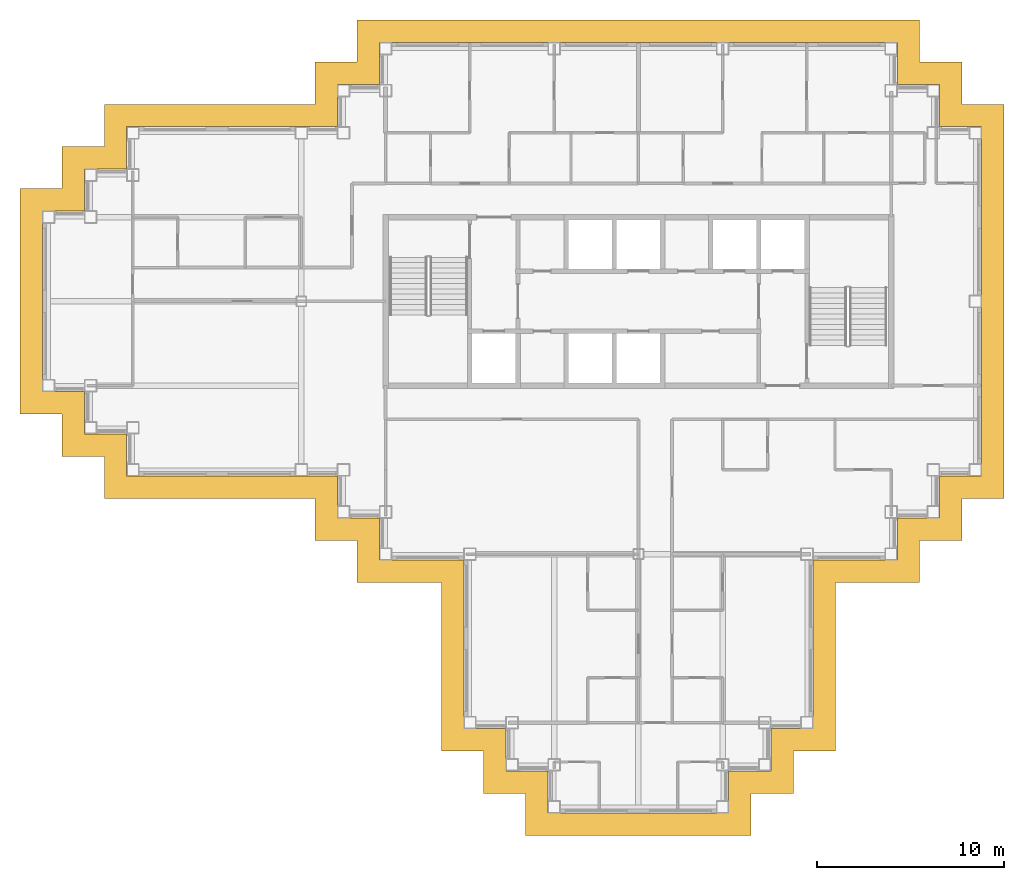
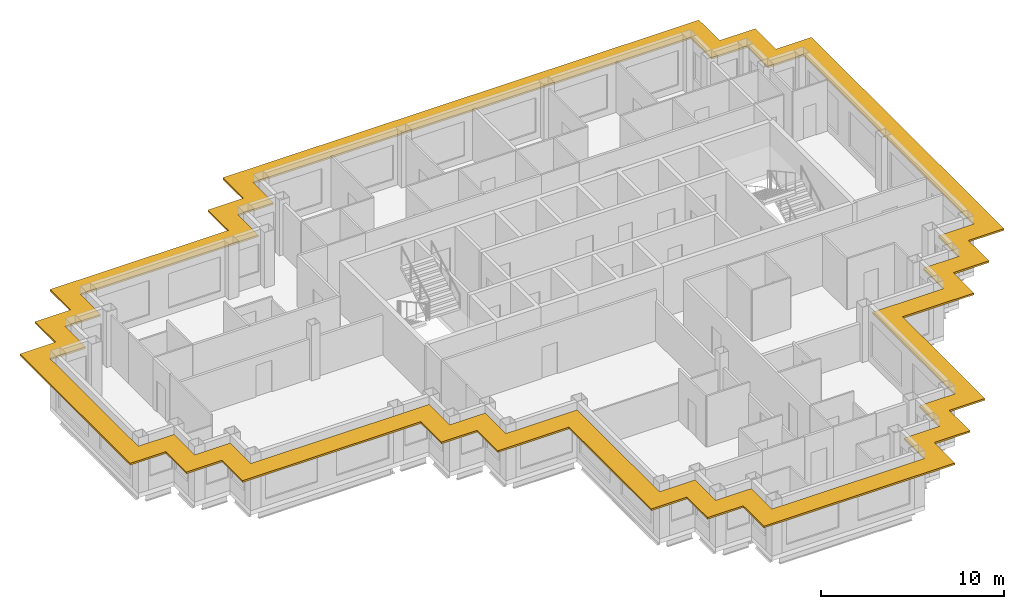
# One storey, part 11 of 12: 1 shading device.
"""IFC4 building model written with IfcOpenShell, lengths in metres."""

from ifc_helpers import new_model, si_unit, direction, frame, origin, place, context, subcontext, project, spatial, polyline, outline, extrude, material, layer, layer_set, type_object, element, save


model = new_model("IFC4")

# Units and contexts
model_context = context("Model", 3, precision=1e-05, world=origin(), true_north=direction((0.0, 1.0)))
body_context = subcontext(model_context, "Body", "Model", "MODEL_VIEW")
ifc_project = project(units=[si_unit("LENGTHUNIT", "METRE"), si_unit("AREAUNIT", "SQUARE_METRE"), si_unit("VOLUMEUNIT", "CUBIC_METRE"), si_unit("PLANEANGLEUNIT", "RADIAN"), si_unit("MASSUNIT", "GRAM", prefix="KILO")], contexts=[model_context])

# Site, building, storey
site_placement = place(None, origin())
site = spatial("IfcSite", under=ifc_project, at=site_placement, CompositionType="ELEMENT")
building_placement = place(site_placement, origin())
building = spatial("IfcBuilding", under=site, at=building_placement, Name="Caravel Reach Hotel and Residences", CompositionType="ELEMENT")
storey_placement = place(building_placement, frame((0.0, 0.0, 214.60009765625)))
storey = spatial("IfcBuildingStorey", under=building, at=storey_placement, Name="L54", CompositionType="ELEMENT", Elevation=214.60009765625)

# Shading device
ifc_material = material(Name="Black powder-coated aluminium", Category="aluminium")
ifc_layer = layer(ifc_material, 0.1201171875)
ifc_layer_set = layer_set([ifc_layer], Name="SS1 Sunshade band 1200")
shading_device_type = type_object("IfcShadingDeviceType", Name="SS1 Sunshade band 1200", PredefinedType="USERDEFINED", material=ifc_layer_set)
shading_device_placement = place(storey_placement, frame((0.0, 0.0, 3.039794921875)))
element("IfcShadingDevice", 1, at=shading_device_placement, inside=storey, type_object=shading_device_type, Name="Sunshade L54 1", ObjectType="SUNSHADE", PredefinedType="USERDEFINED", context=body_context, shape_type="SweptSolid", body=[
    extrude(outline(polyline([(42.02490234375, 2.97509765625), (42.02490234375, 11.97509765625), (46.52490234375, 11.97509765625), (46.52490234375, 14.22509765625), (48.77490234375, 14.22509765625), (48.77490234375, 16.47509765625), (51.02490234375, 16.47509765625), (51.02490234375, 37.52490234375), (48.77490234375, 37.52490234375), (48.77490234375, 39.77490234375), (46.52490234375, 39.77490234375), (46.52490234375, 42.02490234375), (16.47509765625, 42.02490234375), (16.47509765625, 39.77490234375), (14.22509765625, 39.77490234375), (14.22509765625, 37.52490234375), (2.97509765625, 37.52490234375), (2.97509765625, 35.27490234375), (0.72509765625, 35.27490234375), (0.72509765625, 33.02490234375), (-1.52490234375, 33.02490234375), (-1.52490234375, 20.97509765625), (0.72509765625, 20.97509765625), (0.72509765625, 18.72509765625), (2.97509765625, 18.72509765625), (2.97509765625, 16.47509765625), (14.22509765625, 16.47509765625), (14.22509765625, 14.22509765625), (16.47509765625, 14.22509765625), (16.47509765625, 11.97509765625), (20.97509765625, 11.97509765625), (20.97509765625, 2.97509765625), (23.22509765625, 2.97509765625), (23.22509765625, 0.72509765625), (25.47509765625, 0.72509765625), (25.47509765625, -1.52490234375), (37.52490234375, -1.52490234375), (37.52490234375, 0.72509765625), (39.77490234375, 0.72509765625), (39.77490234375, 2.97509765625), (42.02490234375, 2.97509765625)]), holes=[polyline([(45.324951171875, 13.175048828125), (40.824951171875, 13.175048828125), (40.824951171875, 4.175048828125), (38.574951171875, 4.175048828125), (38.574951171875, 1.925048828125), (36.324951171875, 1.925048828125), (36.324951171875, -0.324951171875), (26.675048828125, -0.324951171875), (26.675048828125, 1.925048828125), (24.425048828125, 1.925048828125), (24.425048828125, 4.175048828125), (22.175048828125, 4.175048828125), (22.175048828125, 13.175048828125), (17.675048828125, 13.175048828125), (17.675048828125, 15.425048828125), (15.425048828125, 15.425048828125), (15.425048828125, 17.675048828125), (4.175048828125, 17.675048828125), (4.175048828125, 19.925048828125), (1.925048828125, 19.925048828125), (1.925048828125, 22.175048828125), (-0.324951171875, 22.175048828125), (-0.324951171875, 31.824951171875), (1.925048828125, 31.824951171875), (1.925048828125, 34.074951171875), (4.175048828125, 34.074951171875), (4.175048828125, 36.324951171875), (15.425048828125, 36.324951171875), (15.425048828125, 38.574951171875), (17.675048828125, 38.574951171875), (17.675048828125, 40.824951171875), (45.324951171875, 40.824951171875), (45.324951171875, 38.574951171875), (47.574951171875, 38.574951171875), (47.574951171875, 36.324951171875), (49.824951171875, 36.324951171875), (49.824951171875, 17.675048828125), (47.574951171875, 17.675048828125), (47.574951171875, 15.425048828125), (45.324951171875, 15.425048828125), (45.324951171875, 13.175048828125)])]), origin(), (0.0, 0.0, 1.0), 0.1201171875),
])

save(model, "model.ifc")
